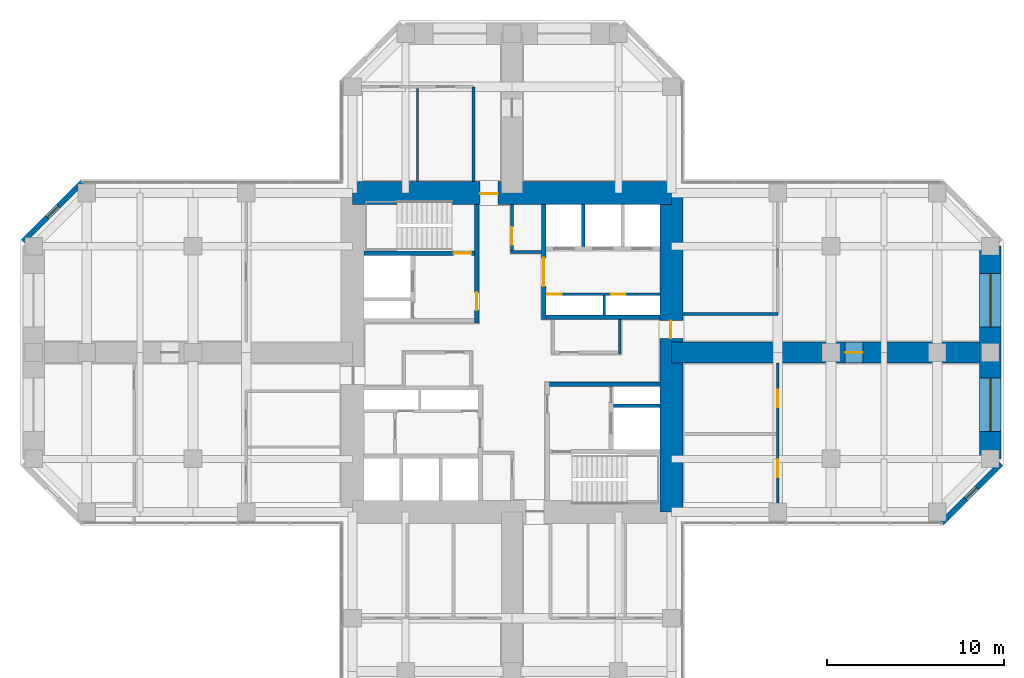
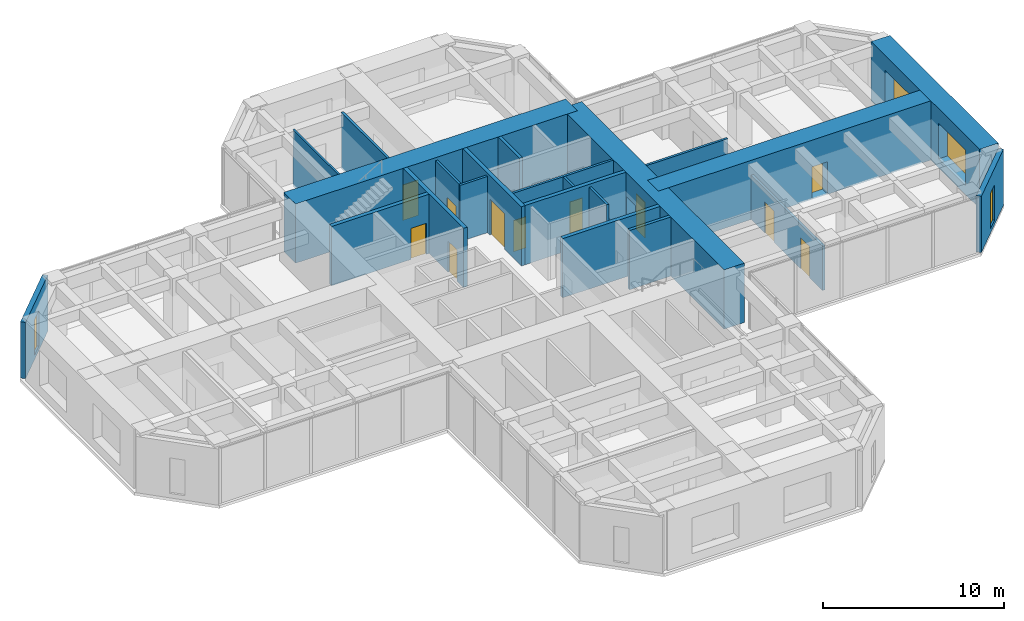
# One storey, part 10 of 12: 22 walls, 11 doors, 4 windows, 15 openings.
"""IFC4 building model written with IfcOpenShell, lengths in metres."""

from ifc_helpers import new_model, si_unit, direction, frame, frame_2d, origin, place, context, subcontext, project, spatial, rectangle, hollow_rectangle, extrude, material, layer, layer_set, constituent, constituent_set, type_object, element, fill, save


model = new_model("IFC4")

# Units and contexts
model_context = context("Model", 3, precision=1e-05, world=origin(), true_north=direction((0.0, 1.0)))
body_context = subcontext(model_context, "Body", "Model", "MODEL_VIEW")
ifc_project = project(units=[si_unit("LENGTHUNIT", "METRE"), si_unit("AREAUNIT", "SQUARE_METRE"), si_unit("VOLUMEUNIT", "CUBIC_METRE"), si_unit("PLANEANGLEUNIT", "RADIAN"), si_unit("MASSUNIT", "GRAM", prefix="KILO")], contexts=[model_context])

# Site, building, storey
site_placement = place(None, origin())
site = spatial("IfcSite", under=ifc_project, at=site_placement, CompositionType="ELEMENT")
building_placement = place(site_placement, origin())
building = spatial("IfcBuilding", under=site, at=building_placement, Name="Torre Cruceta", CompositionType="ELEMENT")
storey_placement = place(building_placement, frame((0.0, 0.0, 136.5)))
storey = spatial("IfcBuildingStorey", under=building, at=storey_placement, Name="L33", CompositionType="ELEMENT", Elevation=136.5)

# Wall, opening, door
ifc_material_1 = material(Name="Concrete G60 (fck 60 MPa)", Category="concrete")
ifc_layer_1 = layer(ifc_material_1, 0.25)
ifc_layer_set_1 = layer_set([ifc_layer_1], Name="Concrete G60 (fck 60 MPa)")
wall_type_1 = type_object("IfcWallType", Name="CORE INNER WALL 250 G60", PredefinedType="SHEAR", material=ifc_layer_set_1)
wall_1_placement = place(storey_placement, frame((1.800048828125, 1.875, 0.0), z_axis=(0.0, 0.0, 1.0), x_axis=(0.0, 1.0, 0.0)))
wall_1 = element("IfcWall", 1, at=wall_1_placement, inside=storey, type_object=wall_type_1, Name="CW4 L33 NE-CU", PredefinedType="SHEAR", context=body_context, shape_type="SweptSolid", body=[
    extrude(rectangle(XDim=6.47509765625, YDim=0.25, at=frame_2d((3.237548828125, 0.0))), origin(), (0.0, 0.0, 1.0), 4.0),
])
opening_1_placement = place(wall_1_placement, frame((1.875, 0.0, 0.0)))
opening_1 = element("IfcOpeningElement", 2, at=opening_1_placement, cuts=wall_1, Name="Opening D8", PredefinedType="OPENING", context=body_context, shape_type="SweptSolid", body=[
    extrude(rectangle(XDim=1.60009765625, YDim=2.39990234375, at=frame_2d((0.800048828125, 1.199951171875))), frame((0.0, 0.135009765625, 0.0), z_axis=(0.0, -1.0, 0.0), x_axis=(1.0, 0.0, 0.0)), (0.0, 0.0, 1.0), 0.27001953125),
])
ifc_material_2 = material(Name="Steel DX51D", Category="steel")
ifc_constituent_1 = constituent(ifc_material_2, Name="Leaf and frame")
ifc_material_3 = material(Name="Polyester powder coating", Category="paint")
ifc_constituent_2 = constituent(ifc_material_3, Name="Finish")
ifc_material_4 = material(Name="Fire-resisting glass", Category="glass")
ifc_constituent_3 = constituent(ifc_material_4, Name="Vision panel")
ifc_constituent_set_1 = constituent_set(constituents=[ifc_constituent_1, ifc_constituent_2, ifc_constituent_3], Name="Steel fire door with vision panels")
door_type_1 = type_object("IfcDoorType", Name="LIFT LOBBY DOUBLE DOOR 1600X2400", OperationType="DOUBLE_DOOR_DOUBLE_SWING", PredefinedType="DOOR", material=ifc_constituent_set_1)
door_1_placement = place(opening_1_placement, origin())
door_1 = element("IfcDoor", 3, at=door_1_placement, inside=storey, type_object=door_type_1, Name="D8 L33 NE-LOBBY", OperationType="DOUBLE_DOOR_DOUBLE_SWING", OverallHeight=2.39990234375, OverallWidth=1.60009765625, PredefinedType="DOOR", context=body_context, shape_type="SweptSolid", body=[
    extrude(rectangle(XDim=1.60009765625, YDim=2.39990234375, at=frame_2d((0.800048828125, 1.199951171875))), frame((0.0, 0.02490234375, 0.0), z_axis=(0.0, -1.0, 0.0), x_axis=(1.0, 0.0, 0.0)), (0.0, 0.0, 1.0), 0.050048828125),
])
fill(opening_1, door_1)

# Wall
wall_2_placement = place(storey_placement, frame((1.925048828125, 2.0, 0.0), z_axis=(0.0, 0.0, 1.0), x_axis=(1.0, 0.0, 0.0)))
element("IfcWall", 4, at=wall_2_placement, inside=storey, type_object=wall_type_1, Name="CW4 L33 NE-CV", PredefinedType="SHEAR", context=body_context, shape_type="SweptSolid", body=[
    extrude(rectangle(XDim=6.425048828125, YDim=0.25, at=frame_2d((3.21240234375, 0.0))), origin(), (0.0, 0.0, 1.0), 4.0),
])

# Wall, opening, door
wall_3_placement = place(storey_placement, frame((-2.0, 1.675048828125, 0.0), z_axis=(0.0, 0.0, 1.0), x_axis=(0.0, 1.0, 0.0)))
wall_3 = element("IfcWall", 5, at=wall_3_placement, inside=storey, type_object=wall_type_1, Name="CW4 L33 NW-CU", PredefinedType="SHEAR", context=body_context, shape_type="SweptSolid", body=[
    extrude(rectangle(XDim=6.675048828125, YDim=0.25, at=frame_2d((3.33740234375, 0.0))), origin(), (0.0, 0.0, 1.0), 4.0),
])
opening_2_placement = place(wall_3_placement, frame((0.72509765625, 0.0, 0.0)))
opening_2 = element("IfcOpeningElement", 6, at=opening_2_placement, cuts=wall_3, Name="Opening D3", PredefinedType="OPENING", context=body_context, shape_type="SweptSolid", body=[
    extrude(rectangle(XDim=1.0, YDim=2.10009765625, at=frame_2d((0.5, 1.050048828125))), frame((0.0, 0.135009765625, 0.0), z_axis=(0.0, -1.0, 0.0), x_axis=(1.0, 0.0, 0.0)), (0.0, 0.0, 1.0), 0.27001953125),
])
ifc_material_5 = material(Name="Steel DX51D", Category="steel")
ifc_constituent_4 = constituent(ifc_material_5, Name="Leaf and frame")
ifc_material_6 = material(Name="Polyester powder coating", Category="paint")
ifc_constituent_5 = constituent(ifc_material_6, Name="Finish")
ifc_constituent_set_2 = constituent_set(constituents=[ifc_constituent_4, ifc_constituent_5], Name="Steel fire door")
door_type_2 = type_object("IfcDoorType", Name="FIRE DOOR 1000X2100", OperationType="SINGLE_SWING_LEFT", PredefinedType="DOOR", material=ifc_constituent_set_2)
door_2_placement = place(opening_2_placement, origin())
door_2 = element("IfcDoor", 7, at=door_2_placement, inside=storey, type_object=door_type_2, Name="D3 L33 NW-LOBBY", OperationType="SINGLE_SWING_LEFT", OverallHeight=2.10009765625, OverallWidth=1.0, PredefinedType="DOOR", context=body_context, shape_type="SweptSolid", body=[
    extrude(rectangle(XDim=1.0, YDim=2.10009765625, at=frame_2d((0.5, 1.050048828125))), frame((0.0, 0.02490234375, 0.0), z_axis=(0.0, -1.0, 0.0), x_axis=(1.0, 0.0, 0.0)), (0.0, 0.0, 1.0), 0.050048828125),
])
fill(opening_2, door_2)

wall_4_placement = place(storey_placement, frame((-2.125, 5.60009765625, 0.0), z_axis=(0.0, 0.0, 1.0), x_axis=(-1.0, 0.0, 0.0)))
wall_4 = element("IfcWall", 8, at=wall_4_placement, inside=storey, type_object=wall_type_1, Name="CW4 L33 NW-SV", PredefinedType="SHEAR", context=body_context, shape_type="SweptSolid", body=[
    extrude(rectangle(XDim=6.22509765625, YDim=0.25, at=frame_2d((3.112548828125, 0.0))), origin(), (0.0, 0.0, 1.0), 4.0),
])
opening_3_placement = place(wall_4_placement, frame((0.175048828125, 0.0, 0.0)))
opening_3 = element("IfcOpeningElement", 9, at=opening_3_placement, cuts=wall_4, Name="Opening D3", PredefinedType="OPENING", context=body_context, shape_type="SweptSolid", body=[
    extrude(rectangle(XDim=1.0, YDim=2.10009765625, at=frame_2d((0.5, 1.050048828125))), frame((0.0, 0.135009765625, 0.0), z_axis=(0.0, -1.0, 0.0), x_axis=(1.0, 0.0, 0.0)), (0.0, 0.0, 1.0), 0.27001953125),
])
door_3_placement = place(opening_3_placement, frame((1.0, 0.0, 0.0), z_axis=(0.0, 0.0, 1.0), x_axis=(-1.0, 0.0, 0.0)))
door_3 = element("IfcDoor", 10, at=door_3_placement, inside=storey, type_object=door_type_2, Name="D3 L33 NW-STAIR", OperationType="SINGLE_SWING_RIGHT", OverallHeight=2.10009765625, OverallWidth=1.0, PredefinedType="DOOR", context=body_context, shape_type="SweptSolid", body=[
    extrude(rectangle(XDim=1.0, YDim=2.10009765625, at=frame_2d((0.5, 1.050048828125))), frame((0.0, 0.025146484375, 0.0), z_axis=(0.0, -1.0, 0.0), x_axis=(1.0, 0.0, 0.0)), (0.0, 0.0, 1.0), 0.050048828125),
])
fill(opening_3, door_3)

# Wall
wall_5_placement = place(storey_placement, frame((2.125, -1.800048828125, 0.0), z_axis=(0.0, 0.0, 1.0), x_axis=(1.0, 0.0, 0.0)))
element("IfcWall", 11, at=wall_5_placement, inside=storey, type_object=wall_type_1, Name="CW4 L33 SE-CV", PredefinedType="SHEAR", context=body_context, shape_type="SweptSolid", body=[
    extrude(rectangle(XDim=6.22509765625, YDim=0.25, at=frame_2d((3.112548828125, 0.0))), origin(), (0.0, 0.0, 1.0), 4.0),
])

# Wall, opening, door
ifc_material_7 = material(Name="Concrete G60 (fck 60 MPa)", Category="concrete")
ifc_layer_2 = layer(ifc_material_7, 1.300048828125)
ifc_layer_set_2 = layer_set([ifc_layer_2], Name="Concrete G60 (fck 60 MPa)")
wall_type_2 = type_object("IfcWallType", Name="CORE WALL 1300 G60", PredefinedType="SHEAR", material=ifc_layer_set_2)
wall_6_placement = place(storey_placement, frame((9.0, 9.0, 0.0), z_axis=(0.0, 0.0, 1.0), x_axis=(-1.0, 0.0, 0.0)))
wall_6 = element("IfcWall", 12, at=wall_6_placement, inside=storey, type_object=wall_type_2, Name="CW1 L33 CW-N", PredefinedType="SHEAR", context=body_context, shape_type="SweptSolid", body=[
    extrude(rectangle(XDim=18.0, YDim=1.300048828125, at=frame_2d((9.0, 0.0))), origin(), (0.0, 0.0, 1.0), 4.0),
])
opening_4_placement = place(wall_6_placement, frame((9.800048828125, 0.0, 0.0)))
opening_4 = element("IfcOpeningElement", 13, at=opening_4_placement, cuts=wall_6, Name="Opening D4", PredefinedType="OPENING", context=body_context, shape_type="SweptSolid", body=[
    extrude(rectangle(XDim=1.0, YDim=2.39990234375, at=frame_2d((0.5, 1.199951171875))), frame((0.0, 0.659912109375, 0.0), z_axis=(0.0, -1.0, 0.0), x_axis=(1.0, 0.0, 0.0)), (0.0, 0.0, 1.0), 1.320068359375),
])
ifc_material_8 = material(Name="Steel DX51D", Category="steel")
ifc_constituent_6 = constituent(ifc_material_8, Name="Leaf and frame")
ifc_material_9 = material(Name="Polyester powder coating", Category="paint")
ifc_constituent_7 = constituent(ifc_material_9, Name="Finish")
ifc_constituent_set_3 = constituent_set(constituents=[ifc_constituent_6, ifc_constituent_7], Name="Steel fire door")
door_type_3 = type_object("IfcDoorType", Name="CORE ARM DOOR 1000X2400", OperationType="SINGLE_SWING_RIGHT", PredefinedType="DOOR", material=ifc_constituent_set_3)
door_4_placement = place(opening_4_placement, frame((1.0, 0.0, 0.0), z_axis=(0.0, 0.0, 1.0), x_axis=(-1.0, 0.0, 0.0)))
door_4 = element("IfcDoor", 14, at=door_4_placement, inside=storey, type_object=door_type_3, Name="D4 L33 CW-N", OperationType="SINGLE_SWING_RIGHT", OverallHeight=2.39990234375, OverallWidth=1.0, PredefinedType="DOOR", context=body_context, shape_type="SweptSolid", body=[
    extrude(rectangle(XDim=1.0, YDim=2.39990234375, at=frame_2d((0.5, 1.199951171875))), frame((0.0, -0.005126953125, 0.0), z_axis=(0.0, -1.0, 0.0), x_axis=(1.0, 0.0, 0.0)), (0.0, 0.0, 1.0), 0.050048828125),
])
fill(opening_4, door_4)

wall_7_placement = place(storey_placement, frame((9.0, -9.0, 0.0), z_axis=(0.0, 0.0, 1.0), x_axis=(0.0, 1.0, 0.0)))
wall_7 = element("IfcWall", 15, at=wall_7_placement, inside=storey, type_object=wall_type_2, Name="CW1 L33 CW-E", PredefinedType="SHEAR", context=body_context, shape_type="SweptSolid", body=[
    extrude(rectangle(XDim=18.0, YDim=1.300048828125, at=frame_2d((9.0, 0.0))), origin(), (0.0, 0.0, 1.0), 4.0),
])
opening_5_placement = place(wall_7_placement, frame((9.800048828125, 0.0, 0.0)))
opening_5 = element("IfcOpeningElement", 16, at=opening_5_placement, cuts=wall_7, Name="Opening D4", PredefinedType="OPENING", context=body_context, shape_type="SweptSolid", body=[
    extrude(rectangle(XDim=1.0, YDim=2.39990234375, at=frame_2d((0.5, 1.199951171875))), frame((0.0, 0.659912109375, 0.0), z_axis=(0.0, -1.0, 0.0), x_axis=(1.0, 0.0, 0.0)), (0.0, 0.0, 1.0), 1.320068359375),
])
door_5_placement = place(opening_5_placement, frame((1.0, 0.0, 0.0), z_axis=(0.0, 0.0, 1.0), x_axis=(-1.0, 0.0, 0.0)))
door_5 = element("IfcDoor", 17, at=door_5_placement, inside=storey, type_object=door_type_3, Name="D4 L33 CW-E", OperationType="SINGLE_SWING_RIGHT", OverallHeight=2.39990234375, OverallWidth=1.0, PredefinedType="DOOR", context=body_context, shape_type="SweptSolid", body=[
    extrude(rectangle(XDim=1.0, YDim=2.39990234375, at=frame_2d((0.5, 1.199951171875))), frame((0.0, -0.005126953125, 0.0), z_axis=(0.0, -1.0, 0.0), x_axis=(1.0, 0.0, 0.0)), (0.0, 0.0, 1.0), 0.050048828125),
])
fill(opening_5, door_5)

# Wall, opening, window
ifc_material_10 = material(Name="Concrete G30 (fck 30 MPa)", Category="concrete")
ifc_layer_3 = layer(ifc_material_10, 0.300048828125)
ifc_layer_set_3 = layer_set([ifc_layer_3], Name="Concrete G30 (fck 30 MPa)")
wall_type_3 = type_object("IfcWallType", Name="EXPOSED CONCRETE FACADE WALL 300", PredefinedType="SOLIDWALL", material=ifc_layer_set_3)
wall_8_placement = place(storey_placement, frame((24.2568359375, -9.6201171875, 0.0), z_axis=(0.0, 0.0, 1.0), x_axis=(0.707106781187, 0.707106781187, 0.0)))
wall_8 = element("IfcWall", 18, at=wall_8_placement, inside=storey, type_object=wall_type_3, Name="EW1 facade wall L33 E chamfer 01", PredefinedType="SOLIDWALL", context=body_context, shape_type="SweptSolid", body=[
    extrude(rectangle(XDim=4.72802734375, YDim=0.300048828125, at=frame_2d((2.364013671875, 0.0))), origin(), (0.0, 0.0, 1.0), 3.800048828125),
])
opening_6_placement = place(wall_8_placement, frame((1.9140625, 0.0, 0.300048828125)))
opening_6 = element("IfcOpeningElement", 19, at=opening_6_placement, cuts=wall_8, Name="Opening WN5", PredefinedType="OPENING", context=body_context, shape_type="SweptSolid", body=[
    extrude(rectangle(XDim=0.89990234375, YDim=2.39990234375, at=frame_2d((0.449951171875, 1.199951171875))), frame((0.0, 0.159912109375, 0.0), z_axis=(0.0, -1.0, 0.0), x_axis=(1.0, 0.0, 0.0)), (0.0, 0.0, 1.0), 0.320068359375),
])
ifc_material_11 = material(Name="Aluminium window frame", Category="aluminium")
ifc_constituent_8 = constituent(ifc_material_11, Name="Frame")
ifc_material_12 = material(Name="Laminated insulating glass unit, low-iron clear", Category="glass")
ifc_constituent_9 = constituent(ifc_material_12, Name="Glazing")
ifc_constituent_set_4 = constituent_set(constituents=[ifc_constituent_8, ifc_constituent_9], Name="Aluminium window")
window_type_1 = type_object("IfcWindowType", Name="CHAMFER SLOT WINDOW 900X2400", PartitioningType="SINGLE_PANEL", PredefinedType="WINDOW", material=ifc_constituent_set_4)
window_1_placement = place(opening_6_placement, origin())
window_1 = element("IfcWindow", 20, at=window_1_placement, inside=storey, type_object=window_type_1, Name="WN5 L33 E 1", OverallHeight=2.39990234375, OverallWidth=0.89990234375, PartitioningType="SINGLE_PANEL", PredefinedType="WINDOW", context=body_context, shape_type="SweptSolid", body=[
    extrude(hollow_rectangle(XDim=0.89990234375, YDim=2.39990234375, WallThickness=0.06005859375, at=frame_2d((0.449951171875, 1.199951171875))), frame((0.0, 0.030029296875, 0.0), z_axis=(0.0, -1.0, 0.0), x_axis=(1.0, 0.0, 0.0)), (0.0, 0.0, 1.0), 0.06005859375),
    extrude(rectangle(XDim=0.77880859375, YDim=2.27880859375, at=frame_2d((0.449951171875, 1.199951171875))), frame((0.0, 0.030029296875, 0.0), z_axis=(0.0, -1.0, 0.0), x_axis=(1.0, 0.0, 0.0)), (0.0, 0.0, 1.0), 0.06005859375),
])
fill(opening_6, window_1)

wall_9_placement = place(storey_placement, frame((-24.2568359375, 9.6201171875, 0.0), z_axis=(0.0, 0.0, 1.0), x_axis=(-0.707106781187, -0.707106781187, 0.0)))
wall_9 = element("IfcWall", 21, at=wall_9_placement, inside=storey, type_object=wall_type_3, Name="EW1 facade wall L33 W chamfer 11", PredefinedType="SOLIDWALL", context=body_context, shape_type="SweptSolid", body=[
    extrude(rectangle(XDim=4.72802734375, YDim=0.300048828125, at=frame_2d((2.364013671875, 0.0))), origin(), (0.0, 0.0, 1.0), 3.800048828125),
])
opening_7_placement = place(wall_9_placement, frame((1.9140625, 0.0, 0.300048828125)))
opening_7 = element("IfcOpeningElement", 22, at=opening_7_placement, cuts=wall_9, Name="Opening WN5", PredefinedType="OPENING", context=body_context, shape_type="SweptSolid", body=[
    extrude(rectangle(XDim=0.89990234375, YDim=2.39990234375, at=frame_2d((0.449951171875, 1.199951171875))), frame((0.0, 0.159912109375, 0.0), z_axis=(0.0, -1.0, 0.0), x_axis=(1.0, 0.0, 0.0)), (0.0, 0.0, 1.0), 0.320068359375),
])
window_2_placement = place(opening_7_placement, origin())
window_2 = element("IfcWindow", 23, at=window_2_placement, inside=storey, type_object=window_type_1, Name="WN5 L33 W 1", OverallHeight=2.39990234375, OverallWidth=0.89990234375, PartitioningType="SINGLE_PANEL", PredefinedType="WINDOW", context=body_context, shape_type="SweptSolid", body=[
    extrude(hollow_rectangle(XDim=0.89990234375, YDim=2.39990234375, WallThickness=0.06005859375, at=frame_2d((0.449951171875, 1.199951171875))), frame((0.0, 0.030029296875, 0.0), z_axis=(0.0, -1.0, 0.0), x_axis=(1.0, 0.0, 0.0)), (0.0, 0.0, 1.0), 0.06005859375),
    extrude(rectangle(XDim=0.77880859375, YDim=2.27880859375, at=frame_2d((0.449951171875, 1.199951171875))), frame((0.0, 0.030029296875, 0.0), z_axis=(0.0, -1.0, 0.0), x_axis=(1.0, 0.0, 0.0)), (0.0, 0.0, 1.0), 0.06005859375),
])
fill(opening_7, window_2)

# Walls
ifc_material_13 = material(Name="Concrete G35 (fck 35 MPa)", Category="concrete")
ifc_layer_4 = layer(ifc_material_13, 0.199951171875)
ifc_layer_set_4 = layer_set([ifc_layer_4], Name="Concrete G35 (fck 35 MPa)")
wall_type_4 = type_object("IfcWallType", Name="LIFT SHAFT WALL 200", PredefinedType="PARTITIONING", material=ifc_layer_set_4)
wall_10_placement = place(storey_placement, frame((4.033447265625, 5.97509765625, 0.0), z_axis=(0.0, 0.0, 1.0), x_axis=(0.0, 1.0, 0.0)))
element("IfcWall", 24, at=wall_10_placement, inside=storey, type_object=wall_type_4, Name="SW1 L33 NE-LS1", PredefinedType="PARTITIONING", context=body_context, shape_type="SweptSolid", body=[
    extrude(rectangle(XDim=2.375, YDim=0.199951171875, at=frame_2d((1.1875, 0.0))), origin(), (0.0, 0.0, 1.0), 4.0),
])
wall_11_placement = place(storey_placement, frame((5.72509765625, -3.0, 0.0), z_axis=(0.0, 0.0, 1.0), x_axis=(1.0, 0.0, 0.0)))
element("IfcWall", 25, at=wall_11_placement, inside=storey, type_object=wall_type_4, Name="SW1 L33 SE-FR", PredefinedType="PARTITIONING", context=body_context, shape_type="SweptSolid", body=[
    extrude(rectangle(XDim=2.625, YDim=0.199951171875, at=frame_2d((1.3125, 0.0))), origin(), (0.0, 0.0, 1.0), 4.0),
])

# Wall, openings, windows
ifc_material_14 = material(Name="Concrete G60 (fck 60 MPa)", Category="concrete")
ifc_layer_5 = layer(ifc_material_14, 1.199951171875)
ifc_layer_set_5 = layer_set([ifc_layer_5], Name="Concrete G60 (fck 60 MPa)")
wall_type_5 = type_object("IfcWallType", Name="NOSE WALL 1200 G60", PredefinedType="SHEAR", material=ifc_layer_set_5)
wall_12_placement = place(storey_placement, frame((27.0, -6.0, 0.0), z_axis=(0.0, 0.0, 1.0), x_axis=(0.0, 1.0, 0.0)))
wall_12 = element("IfcWall", 26, at=wall_12_placement, inside=storey, type_object=wall_type_5, Name="NW1 nose wall L33 E", PredefinedType="SHEAR", context=body_context, shape_type="SweptSolid", body=[
    extrude(rectangle(XDim=12.0, YDim=1.199951171875, at=frame_2d((6.0, 0.0))), origin(), (0.0, 0.0, 1.0), 4.0),
])
opening_8_placement = place(wall_12_placement, frame((1.550048828125, 0.0, 0.60009765625)))
opening_8 = element("IfcOpeningElement", 27, at=opening_8_placement, cuts=wall_12, Name="Opening WN6", PredefinedType="OPENING", context=body_context, shape_type="SweptSolid", body=[
    extrude(rectangle(XDim=3.0, YDim=2.39990234375, at=frame_2d((1.5, 1.199951171875))), frame((0.0, 0.60986328125, 0.0), z_axis=(0.0, -1.0, 0.0), x_axis=(1.0, 0.0, 0.0)), (0.0, 0.0, 1.0), 1.219970703125),
])
opening_9_placement = place(wall_12_placement, frame((7.449951171875, 0.0, 0.60009765625)))
opening_9 = element("IfcOpeningElement", 28, at=opening_9_placement, cuts=wall_12, Name="Opening WN6", PredefinedType="OPENING", context=body_context, shape_type="SweptSolid", body=[
    extrude(rectangle(XDim=3.0, YDim=2.39990234375, at=frame_2d((1.5, 1.199951171875))), frame((0.0, 0.60986328125, 0.0), z_axis=(0.0, -1.0, 0.0), x_axis=(1.0, 0.0, 0.0)), (0.0, 0.0, 1.0), 1.219970703125),
])
ifc_material_15 = material(Name="Aluminium window frame", Category="aluminium")
ifc_constituent_10 = constituent(ifc_material_15, Name="Frame")
ifc_material_16 = material(Name="Laminated insulating glass unit, low-iron clear", Category="glass")
ifc_constituent_11 = constituent(ifc_material_16, Name="Glazing")
ifc_constituent_set_5 = constituent_set(constituents=[ifc_constituent_10, ifc_constituent_11], Name="Aluminium window")
window_type_2 = type_object("IfcWindowType", Name="NOSE WALL WINDOW 3000X2400", PartitioningType="SINGLE_PANEL", PredefinedType="WINDOW", material=ifc_constituent_set_5)
window_3_placement = place(opening_8_placement, origin())
window_3 = element("IfcWindow", 29, at=window_3_placement, inside=storey, type_object=window_type_2, Name="WN6 L33 E 1", OverallHeight=2.39990234375, OverallWidth=3.0, PartitioningType="SINGLE_PANEL", PredefinedType="WINDOW", context=body_context, shape_type="SweptSolid", body=[
    extrude(hollow_rectangle(XDim=3.0, YDim=2.39990234375, WallThickness=0.06005859375, at=frame_2d((1.5, 1.199951171875))), frame((0.0, 0.030029296875, 0.0), z_axis=(0.0, -1.0, 0.0), x_axis=(1.0, 0.0, 0.0)), (0.0, 0.0, 1.0), 0.06005859375),
    extrude(rectangle(XDim=2.87890625, YDim=2.27880859375, at=frame_2d((1.5, 1.199951171875))), frame((0.0, 0.030029296875, 0.0), z_axis=(0.0, -1.0, 0.0), x_axis=(1.0, 0.0, 0.0)), (0.0, 0.0, 1.0), 0.06005859375),
])
fill(opening_8, window_3)
window_4_placement = place(opening_9_placement, origin())
window_4 = element("IfcWindow", 30, at=window_4_placement, inside=storey, type_object=window_type_2, Name="WN6 L33 E 2", OverallHeight=2.39990234375, OverallWidth=3.0, PartitioningType="SINGLE_PANEL", PredefinedType="WINDOW", context=body_context, shape_type="SweptSolid", body=[
    extrude(hollow_rectangle(XDim=3.0, YDim=2.39990234375, WallThickness=0.06005859375, at=frame_2d((1.5, 1.199951171875))), frame((0.0, 0.030029296875, 0.0), z_axis=(0.0, -1.0, 0.0), x_axis=(1.0, 0.0, 0.0)), (0.0, 0.0, 1.0), 0.06005859375),
    extrude(rectangle(XDim=2.87890625, YDim=2.27880859375, at=frame_2d((1.5, 1.199951171875))), frame((0.0, 0.030029296875, 0.0), z_axis=(0.0, -1.0, 0.0), x_axis=(1.0, 0.0, 0.0)), (0.0, 0.0, 1.0), 0.06005859375),
])
fill(opening_9, window_4)

# Wall
ifc_material_17 = material(Name="Plasterboard on steel studs", Category="steel")
ifc_layer_6 = layer(ifc_material_17, 0.14990234375)
ifc_layer_set_6 = layer_set([ifc_layer_6], Name="Plasterboard on steel studs")
wall_type_6 = type_object("IfcWallType", Name="PARTITION 150", PredefinedType="PARTITIONING", material=ifc_layer_set_6)
wall_13_placement = place(storey_placement, frame((6.074951171875, -0.074951171875, 0.0), z_axis=(0.0, 0.0, 1.0), x_axis=(0.0, 1.0, 0.0)))
element("IfcWall", 31, at=wall_13_placement, inside=storey, type_object=wall_type_6, Name="PT1 L33-CORE-LEGE-N-W3", PredefinedType="PARTITIONING", context=body_context, shape_type="SweptSolid", body=[
    extrude(rectangle(XDim=1.949951171875, YDim=0.14990234375, at=frame_2d((0.97509765625, 0.0))), origin(), (0.0, 0.0, 1.0), 3.800048828125),
])

# Wall, opening, door
wall_14_placement = place(storey_placement, frame((0.0, 5.675048828125, 0.0), z_axis=(0.0, 0.0, 1.0), x_axis=(0.0, 1.0, 0.0)))
wall_14 = element("IfcWall", 32, at=wall_14_placement, inside=storey, type_object=wall_type_6, Name="PT1 L33-CORE-LEGN-E-W1", PredefinedType="PARTITIONING", context=body_context, shape_type="SweptSolid", body=[
    extrude(rectangle(XDim=2.675048828125, YDim=0.14990234375, at=frame_2d((1.33740234375, 0.0))), origin(), (0.0, 0.0, 1.0), 3.800048828125),
])
opening_10_placement = place(wall_14_placement, frame((0.39990234375, 0.0, 0.0)))
opening_10 = element("IfcOpeningElement", 33, at=opening_10_placement, cuts=wall_14, Name="Opening D3", PredefinedType="OPENING", context=body_context, shape_type="SweptSolid", body=[
    extrude(rectangle(XDim=1.0, YDim=2.10009765625, at=frame_2d((0.5, 1.050048828125))), frame((0.0, 0.0849609375, 0.0), z_axis=(0.0, -1.0, 0.0), x_axis=(1.0, 0.0, 0.0)), (0.0, 0.0, 1.0), 0.169921875),
])
door_6_placement = place(opening_10_placement, frame((1.0, 0.0, 0.0), z_axis=(0.0, 0.0, 1.0), x_axis=(-1.0, 0.0, 0.0)))
door_6 = element("IfcDoor", 34, at=door_6_placement, inside=storey, type_object=door_type_2, Name="D3 L33-CORE-LEGN-E-W1-D1", OperationType="SINGLE_SWING_RIGHT", OverallHeight=2.10009765625, OverallWidth=1.0, PredefinedType="DOOR", context=body_context, shape_type="SweptSolid", body=[
    extrude(rectangle(XDim=1.0, YDim=2.10009765625, at=frame_2d((0.5, 1.050048828125))), frame((0.0, 0.025146484375, 0.0), z_axis=(0.0, -1.0, 0.0), x_axis=(1.0, 0.0, 0.0)), (0.0, 0.0, 1.0), 0.050048828125),
])
fill(opening_10, door_6)

# Walls
wall_15_placement = place(storey_placement, frame((1.675048828125, 5.675048828125, 0.0), z_axis=(0.0, 0.0, 1.0), x_axis=(-1.0, 0.0, 0.0)))
element("IfcWall", 35, at=wall_15_placement, inside=storey, type_object=wall_type_6, Name="PT1 L33-CORE-LEGN-E-W2", PredefinedType="PARTITIONING", context=body_context, shape_type="SweptSolid", body=[
    extrude(rectangle(XDim=1.75, YDim=0.14990234375, at=frame_2d((0.875, 0.0))), origin(), (0.0, 0.0, 1.0), 3.800048828125),
])
for number, where, z_axis, x_axis, name in (
    (36, (-2.175048828125, 9.64990234375, 0.0), (0.0, 0.0, 1.0), (0.0, 1.0, 0.0), "PT1 L33-N-BSL"),
    (37, (9.64990234375, 2.175048828125, 0.0), (0.0, 0.0, 1.0), (1.0, 0.0, 0.0), "PT1 L33-E-BSL"),
):
    element("IfcWall", number, at=place(storey_placement, frame(where, z_axis=z_axis, x_axis=x_axis)), inside=storey, type_object=wall_type_6, Name=name, PredefinedType="PARTITIONING", context=body_context, shape_type="SweptSolid", body=[
        extrude(rectangle(XDim=5.35009765625, YDim=0.14990234375, at=frame_2d((2.675048828125, 0.0))), origin(), (0.0, 0.0, 1.0), 3.800048828125),
    ])

# Wall, openings, doors
wall_16_placement = place(storey_placement, frame((15.0, -8.5, 0.0), z_axis=(0.0, 0.0, 1.0), x_axis=(0.0, 1.0, 0.0)))
wall_16 = element("IfcWall", 38, at=wall_16_placement, inside=storey, type_object=wall_type_6, Name="PT1 L33-E-BFR", PredefinedType="PARTITIONING", context=body_context, shape_type="SweptSolid", body=[
    extrude(rectangle(XDim=7.89990234375, YDim=0.14990234375, at=frame_2d((3.949951171875, 0.0))), origin(), (0.0, 0.0, 1.0), 3.0),
])
opening_11_placement = place(wall_16_placement, frame((1.449951171875, 0.0, 0.0)))
opening_11 = element("IfcOpeningElement", 39, at=opening_11_placement, cuts=wall_16, Name="Opening D3", PredefinedType="OPENING", context=body_context, shape_type="SweptSolid", body=[
    extrude(rectangle(XDim=1.0, YDim=2.10009765625, at=frame_2d((0.5, 1.050048828125))), frame((0.0, 0.0849609375, 0.0), z_axis=(0.0, -1.0, 0.0), x_axis=(1.0, 0.0, 0.0)), (0.0, 0.0, 1.0), 0.169921875),
])
opening_12_placement = place(wall_16_placement, frame((5.39990234375, 0.0, 0.0)))
opening_12 = element("IfcOpeningElement", 40, at=opening_12_placement, cuts=wall_16, Name="Opening D3", PredefinedType="OPENING", context=body_context, shape_type="SweptSolid", body=[
    extrude(rectangle(XDim=1.0, YDim=2.10009765625, at=frame_2d((0.5, 1.050048828125))), frame((0.0, 0.0849609375, 0.0), z_axis=(0.0, -1.0, 0.0), x_axis=(1.0, 0.0, 0.0)), (0.0, 0.0, 1.0), 0.169921875),
])
door_7_placement = place(opening_11_placement, origin())
door_7 = element("IfcDoor", 41, at=door_7_placement, inside=storey, type_object=door_type_2, Name="D3 L33-E-BFR-D1", OperationType="SINGLE_SWING_RIGHT", OverallHeight=2.10009765625, OverallWidth=1.0, PredefinedType="DOOR", context=body_context, shape_type="SweptSolid", body=[
    extrude(rectangle(XDim=1.0, YDim=2.10009765625, at=frame_2d((0.5, 1.050048828125))), frame((0.0, 0.02490234375, 0.0), z_axis=(0.0, -1.0, 0.0), x_axis=(1.0, 0.0, 0.0)), (0.0, 0.0, 1.0), 0.050048828125),
])
fill(opening_11, door_7)
door_8_placement = place(opening_12_placement, origin())
door_8 = element("IfcDoor", 42, at=door_8_placement, inside=storey, type_object=door_type_2, Name="D3 L33-E-BFR-D2", OperationType="SINGLE_SWING_LEFT", OverallHeight=2.10009765625, OverallWidth=1.0, PredefinedType="DOOR", context=body_context, shape_type="SweptSolid", body=[
    extrude(rectangle(XDim=1.0, YDim=2.10009765625, at=frame_2d((0.5, 1.050048828125))), frame((0.0, 0.02490234375, 0.0), z_axis=(0.0, -1.0, 0.0), x_axis=(1.0, 0.0, 0.0)), (0.0, 0.0, 1.0), 0.050048828125),
])
fill(opening_12, door_8)

ifc_material_18 = material(Name="Concrete block masonry", Category="masonry")
ifc_layer_7 = layer(ifc_material_18, 0.14990234375)
ifc_layer_set_7 = layer_set([ifc_layer_7], Name="Concrete block masonry")
wall_type_7 = type_object("IfcWallType", Name="RISER WALL 150", PredefinedType="PARTITIONING", material=ifc_layer_set_7)
wall_17_placement = place(storey_placement, frame((1.925048828125, 3.300048828125, 0.0), z_axis=(0.0, 0.0, 1.0), x_axis=(1.0, 0.0, 0.0)))
wall_17 = element("IfcWall", 43, at=wall_17_placement, inside=storey, type_object=wall_type_7, Name="SW7 L33 NE-RV", PredefinedType="PARTITIONING", context=body_context, shape_type="SweptSolid", body=[
    extrude(rectangle(XDim=6.425048828125, YDim=0.14990234375, at=frame_2d((3.21240234375, 0.0))), origin(), (0.0, 0.0, 1.0), 4.0),
])
opening_13_placement = place(wall_17_placement, frame((0.074951171875, 0.0, 0.0)))
opening_13 = element("IfcOpeningElement", 44, at=opening_13_placement, cuts=wall_17, Name="Opening D5", PredefinedType="OPENING", context=body_context, shape_type="SweptSolid", body=[
    extrude(rectangle(XDim=0.800048828125, YDim=2.10009765625, at=frame_2d((0.39990234375, 1.050048828125))), frame((0.0, 0.0849609375, 0.0), z_axis=(0.0, -1.0, 0.0), x_axis=(1.0, 0.0, 0.0)), (0.0, 0.0, 1.0), 0.169921875),
])
opening_14_placement = place(wall_17_placement, frame((3.675048828125, 0.0, 0.0)))
opening_14 = element("IfcOpeningElement", 45, at=opening_14_placement, cuts=wall_17, Name="Opening D5", PredefinedType="OPENING", context=body_context, shape_type="SweptSolid", body=[
    extrude(rectangle(XDim=0.800048828125, YDim=2.10009765625, at=frame_2d((0.39990234375, 1.050048828125))), frame((0.0, 0.0849609375, 0.0), z_axis=(0.0, -1.0, 0.0), x_axis=(1.0, 0.0, 0.0)), (0.0, 0.0, 1.0), 0.169921875),
])
ifc_material_19 = material(Name="Steel DX51D", Category="steel")
ifc_constituent_12 = constituent(ifc_material_19, Name="Leaf and frame")
ifc_material_20 = material(Name="Polyester powder coating", Category="paint")
ifc_constituent_13 = constituent(ifc_material_20, Name="Finish")
ifc_constituent_set_6 = constituent_set(constituents=[ifc_constituent_12, ifc_constituent_13], Name="Steel fire door")
door_type_4 = type_object("IfcDoorType", Name="RISER ACCESS DOOR 800X2100", OperationType="SINGLE_SWING_LEFT", PredefinedType="DOOR", material=ifc_constituent_set_6)
door_9_placement = place(opening_13_placement, frame((0.800048828125, 0.0, 0.0), z_axis=(0.0, 0.0, 1.0), x_axis=(-1.0, 0.0, 0.0)))
door_9 = element("IfcDoor", 46, at=door_9_placement, inside=storey, type_object=door_type_4, Name="D5 L33 NE-RISER1", OperationType="SINGLE_SWING_RIGHT", OverallHeight=2.10009765625, OverallWidth=0.800048828125, PredefinedType="DOOR", context=body_context, shape_type="SweptSolid", body=[
    extrude(rectangle(XDim=0.800048828125, YDim=2.10009765625, at=frame_2d((0.400146484375, 1.050048828125))), frame((0.0, 0.025146484375, 0.0), z_axis=(0.0, -1.0, 0.0), x_axis=(1.0, 0.0, 0.0)), (0.0, 0.0, 1.0), 0.050048828125),
])
fill(opening_13, door_9)
door_10_placement = place(opening_14_placement, frame((0.800048828125, 0.0, 0.0), z_axis=(0.0, 0.0, 1.0), x_axis=(-1.0, 0.0, 0.0)))
door_10 = element("IfcDoor", 47, at=door_10_placement, inside=storey, type_object=door_type_4, Name="D5 L33 NE-RISER2", OperationType="SINGLE_SWING_RIGHT", OverallHeight=2.10009765625, OverallWidth=0.800048828125, PredefinedType="DOOR", context=body_context, shape_type="SweptSolid", body=[
    extrude(rectangle(XDim=0.800048828125, YDim=2.10009765625, at=frame_2d((0.400146484375, 1.050048828125))), frame((0.0, 0.025146484375, 0.0), z_axis=(0.0, -1.0, 0.0), x_axis=(1.0, 0.0, 0.0)), (0.0, 0.0, 1.0), 0.050048828125),
])
fill(opening_14, door_10)

# Wall
wall_18_placement = place(storey_placement, frame((5.199951171875, 2.125, 0.0), z_axis=(0.0, 0.0, 1.0), x_axis=(0.0, 1.0, 0.0)))
element("IfcWall", 48, at=wall_18_placement, inside=storey, type_object=wall_type_7, Name="SW7 L33 NE-RU", PredefinedType="PARTITIONING", context=body_context, shape_type="SweptSolid", body=[
    extrude(rectangle(XDim=1.10009765625, YDim=0.14990234375, at=frame_2d((0.550048828125, 0.0))), origin(), (0.0, 0.0, 1.0), 4.0),
])

# Wall, opening, door
ifc_material_21 = material(Name="Concrete G60 (fck 60 MPa)", Category="concrete")
ifc_layer_8 = layer(ifc_material_21, 1.199951171875)
ifc_layer_set_8 = layer_set([ifc_layer_8], Name="Concrete G60 (fck 60 MPa)")
wall_type_8 = type_object("IfcWallType", Name="SPINE WALL 1200 G60", PredefinedType="SHEAR", material=ifc_layer_set_8)
wall_19_placement = place(storey_placement, frame((9.0, 0.0, 0.0), z_axis=(0.0, 0.0, 1.0), x_axis=(1.0, 0.0, 0.0)))
wall_19 = element("IfcWall", 49, at=wall_19_placement, inside=storey, type_object=wall_type_8, Name="SW3 spine wall L33 E", PredefinedType="SHEAR", context=body_context, shape_type="SweptSolid", body=[
    extrude(rectangle(XDim=18.0, YDim=1.199951171875, at=frame_2d((9.0, 0.0))), origin(), (0.0, 0.0, 1.0), 4.0),
])
opening_15_placement = place(wall_19_placement, frame((9.800048828125, 0.0, 0.0)))
opening_15 = element("IfcOpeningElement", 50, at=opening_15_placement, cuts=wall_19, Name="Opening D14", PredefinedType="OPENING", context=body_context, shape_type="SweptSolid", body=[
    extrude(rectangle(XDim=1.0, YDim=2.199951171875, at=frame_2d((0.5, 1.10009765625))), frame((0.0, 0.60986328125, 0.0), z_axis=(0.0, -1.0, 0.0), x_axis=(1.0, 0.0, 0.0)), (0.0, 0.0, 1.0), 1.219970703125),
])
ifc_material_22 = material(Name="Steel DX51D", Category="steel")
ifc_constituent_14 = constituent(ifc_material_22, Name="Leaf and frame")
ifc_material_23 = material(Name="Polyester powder coating", Category="paint")
ifc_constituent_15 = constituent(ifc_material_23, Name="Finish")
ifc_material_24 = material(Name="Fire-resisting glass", Category="glass")
ifc_constituent_16 = constituent(ifc_material_24, Name="Vision panel")
ifc_constituent_set_7 = constituent_set(constituents=[ifc_constituent_14, ifc_constituent_15, ifc_constituent_16], Name="Steel fire door with vision panel")
door_type_5 = type_object("IfcDoorType", Name="FIRE DOOR VISION PANEL 1000X2200", OperationType="SINGLE_SWING_RIGHT", PredefinedType="DOOR", material=ifc_constituent_set_7)
door_11_placement = place(opening_15_placement, frame((1.0, 0.0, 0.0), z_axis=(0.0, 0.0, 1.0), x_axis=(-1.0, 0.0, 0.0)))
door_11 = element("IfcDoor", 51, at=door_11_placement, inside=storey, type_object=door_type_5, Name="D14 L33-E-SP1", OperationType="SINGLE_SWING_RIGHT", OverallHeight=2.199951171875, OverallWidth=1.0, PredefinedType="DOOR", context=body_context, shape_type="SweptSolid", body=[
    extrude(rectangle(XDim=1.0, YDim=2.199951171875, at=frame_2d((0.5, 1.10009765625))), frame((0.0, 0.025146484375, 0.0), z_axis=(0.0, -1.0, 0.0), x_axis=(1.0, 0.0, 0.0)), (0.0, 0.0, 1.0), 0.050048828125),
])
fill(opening_15, door_11)

# Wall
ifc_material_25 = material(Name="Plasterboard on steel studs", Category="steel")
ifc_layer_9 = layer(ifc_material_25, 0.1201171875)
ifc_layer_set_9 = layer_set([ifc_layer_9], Name="Plasterboard on steel studs")
wall_type_9 = type_object("IfcWallType", Name="WC PARTITION 120", PredefinedType="PLUMBINGWALL", material=ifc_layer_set_9)
wall_20_placement = place(storey_placement, frame((-5.33740234375, 9.64990234375, 0.0), z_axis=(0.0, 0.0, 1.0), x_axis=(0.0, 1.0, 0.0)))
element("IfcWall", 52, at=wall_20_placement, inside=storey, type_object=wall_type_9, Name="PT5 L33-N-BDL1", PredefinedType="PLUMBINGWALL", context=body_context, shape_type="SweptSolid", body=[
    extrude(rectangle(XDim=5.25, YDim=0.1201171875, at=frame_2d((2.625, 0.0))), origin(), (0.0, 0.0, 1.0), 3.800048828125),
])

save(model, "model.ifc")
